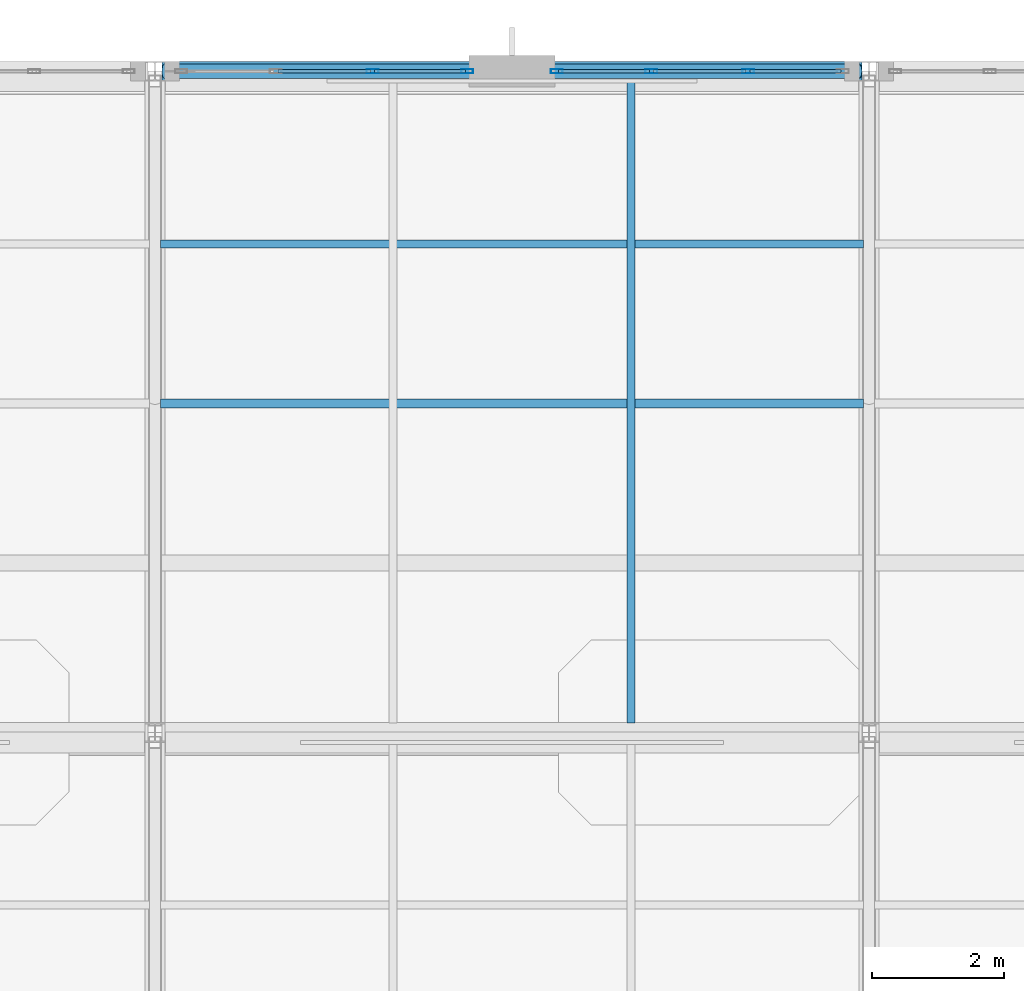
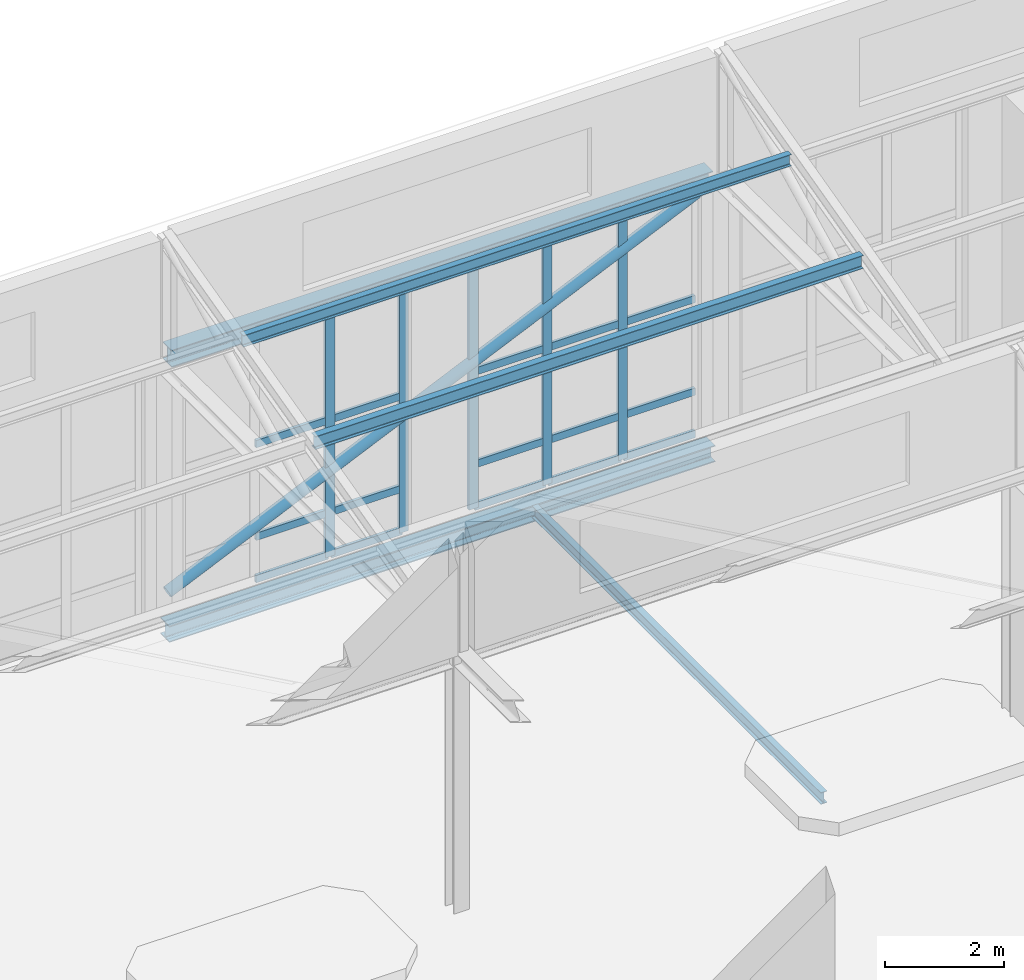
# One storey, part 14 of 49: 28 members, 3 beams, 2 elements without a shape of their own.
"""IFC4 building model written with IfcOpenShell, lengths in metres."""

from ifc_helpers import new_model, si_unit, direction, frame, origin, origin_2d, place, context, subcontext, project, spatial, hollow_rectangle, hollow_circle, i_section, extrude, material, layer, layer_set, material_profile, profile_set, type_object, element, aggregate, save


model = new_model("IFC4")

# Units and contexts
model_context = context("Model", 3, precision=1e-05, world=origin(), true_north=direction((0.0, 1.0)))
body_context = subcontext(model_context, "Body", "Model", "MODEL_VIEW")
ifc_project = project(units=[si_unit("LENGTHUNIT", "METRE"), si_unit("AREAUNIT", "SQUARE_METRE"), si_unit("VOLUMEUNIT", "CUBIC_METRE"), si_unit("PLANEANGLEUNIT", "RADIAN"), si_unit("MASSUNIT", "GRAM", prefix="KILO")], contexts=[model_context])

# Site, building, storey
site_placement = place(None, origin())
site = spatial("IfcSite", under=ifc_project, at=site_placement, CompositionType="ELEMENT")
building_placement = place(site_placement, origin())
building = spatial("IfcBuilding", under=site, at=building_placement, Name="Tasgan Crest Museum", CompositionType="ELEMENT")
storey_placement = place(building_placement, frame((0.0, 0.0, 28.800048828125)))
storey = spatial("IfcBuildingStorey", under=building, at=storey_placement, Name="L05", CompositionType="ELEMENT", Elevation=28.800048828125)

# Beams
ifc_material_1 = material(Name="Steel S355J2", Category="steel")
ifc_material_profile_1 = material_profile(ifc_material_1, i_section(OverallWidth=0.300048828125, OverallDepth=0.35009765625, WebThickness=0.009521484375, FlangeThickness=0.017578125, FilletRadius=0.027099609375, at=origin_2d()), Name="HEA 360")
ifc_profile_set_1 = profile_set([ifc_material_profile_1], Name="Steel S355J2")
beam_type_1 = type_object("IfcBeamType", Name="BM-G-HEA360", PredefinedType="BEAM", material=ifc_profile_set_1)
beam_1_placement = place(storey_placement, frame((21.75, 112.0, 5.219970703125), z_axis=(1.0, 0.0, 0.0), x_axis=(0.0, 1.0, 0.0)))
element("IfcBeam", 1, at=beam_1_placement, inside=storey, type_object=beam_type_1, Name="Sawtooth north eave girder 21.6-32.4", PredefinedType="BEAM", context=body_context, shape_type="SweptSolid", body=[
    extrude(i_section(OverallWidth=0.300048828125, OverallDepth=0.35009765625, WebThickness=0.009521484375, FlangeThickness=0.017578125, FilletRadius=0.027099609375, at=origin_2d()), origin(), (0.0, 0.0, 1.0), 10.5),
])
ifc_material_2 = material(Name="Steel S355J2", Category="steel")
ifc_material_profile_2 = material_profile(ifc_material_2, i_section(OverallWidth=0.300048828125, OverallDepth=0.340087890625, WebThickness=0.011962890625, FlangeThickness=0.021484375, FilletRadius=0.027099609375, at=origin_2d()), Name="HEB 340")
ifc_profile_set_2 = profile_set([ifc_material_profile_2], Name="Steel S355J2")
beam_type_2 = type_object("IfcBeamType", Name="BM-G-HEB340", PredefinedType="BEAM", material=ifc_profile_set_2)
beam_2_placement = place(storey_placement, frame((21.7060546875, 112.0, -0.41015625), z_axis=(1.0, 0.0, 0.0), x_axis=(0.0, 1.0, 0.0)))
element("IfcBeam", 2, at=beam_2_placement, inside=storey, type_object=beam_type_2, Name="Girder L05 M 21.6-32.4", PredefinedType="BEAM", context=body_context, shape_type="SweptSolid", body=[
    extrude(i_section(OverallWidth=0.300048828125, OverallDepth=0.340087890625, WebThickness=0.011962890625, FlangeThickness=0.021484375, FilletRadius=0.027099609375, at=origin_2d()), origin(), (0.0, 0.0, 1.0), 10.587890625),
])
ifc_material_3 = material(Name="Steel S355J2", Category="steel")
ifc_material_profile_3 = material_profile(ifc_material_3, i_section(OverallWidth=0.1201171875, OverallDepth=0.239990234375, WebThickness=0.006103515625, FlangeThickness=0.009765625, FilletRadius=0.014892578125, at=origin_2d()), Name="IPE 240")
ifc_profile_set_3 = profile_set([ifc_material_profile_3], Name="Steel S355J2")
beam_type_3 = type_object("IfcBeamType", Name="BM-J-IPE240", PredefinedType="JOIST", material=ifc_profile_set_3)
beam_3_placement = place(storey_placement, frame((28.800048828125, 102.14501953125, -0.360107421875), z_axis=(0.0, 1.0, 0.0), x_axis=(-1.0, 0.0, 0.0)))
element("IfcBeam", 3, at=beam_3_placement, inside=storey, type_object=beam_type_3, Name="Secondary joist L05 X=28.8 Y=102.0-112.0", PredefinedType="JOIST", context=body_context, shape_type="SweptSolid", body=[
    extrude(i_section(OverallWidth=0.1201171875, OverallDepth=0.239990234375, WebThickness=0.006103515625, FlangeThickness=0.009765625, FilletRadius=0.014892578125, at=origin_2d()), origin(), (0.0, 0.0, 1.0), 9.7099609375),
])

# Curtain wall, members
ifc_material_4 = material(Name="Triple-Glazed Aluminium Curtain Wall", Category="aluminium")
ifc_layer = layer(ifc_material_4, 0.179931640625, Name="CW-GAL-X-54")
ifc_layer_set = layer_set([ifc_layer], Name="Triple-Glazed Aluminium Curtain Wall")
curtain_wall_type = type_object("IfcCurtainWallType", Name="CW-GAL-X-54", PredefinedType="NOTDEFINED", material=ifc_layer_set)
curtain_wall_1_placement = place(storey_placement, origin())
curtain_wall_1 = element("IfcCurtainWall", 4, at=curtain_wall_1_placement, inside=storey, type_object=curtain_wall_type, Name="Curtain wall L05 207", PredefinedType="NOTDEFINED")
ifc_material_5 = material(Name="Anodised Aluminium", Category="aluminium")
ifc_material_profile_4 = material_profile(ifc_material_5, hollow_rectangle(XDim=0.06494140625, YDim=0.179931640625, WallThickness=0.0048828125, at=origin_2d()), Name="ALU MULLION 180x65x5")
ifc_profile_set_4 = profile_set([ifc_material_profile_4], Name="Anodised Aluminium")
member_type_1 = type_object("IfcMemberType", Name="CW-MULLION-180", PredefinedType="MULLION", material=ifc_profile_set_4)
member_1_placement = place(storey_placement, frame((30.57177734375, 112.0, 0.0), z_axis=(0.0, 0.0, 1.0), x_axis=(0.0, -1.0, 0.0)))
member_1 = element("IfcMember", 5, at=member_1_placement, type_object=member_type_1, Name="CW15 mullion 2", PredefinedType="MULLION", context=body_context, shape_type="SweptSolid", body=[
    extrude(hollow_rectangle(XDim=0.06494140625, YDim=0.179931640625, WallThickness=0.0048828125, at=origin_2d()), origin(), (0.0, 0.0, 1.0), 5.159912109375),
])
member_2_placement = place(storey_placement, frame((29.1083984375, 112.0, 0.0), z_axis=(0.0, 0.0, 1.0), x_axis=(0.0, -1.0, 0.0)))
member_2 = element("IfcMember", 6, at=member_2_placement, type_object=member_type_1, Name="CW15 mullion 3", PredefinedType="MULLION", context=body_context, shape_type="SweptSolid", body=[
    extrude(hollow_rectangle(XDim=0.06494140625, YDim=0.179931640625, WallThickness=0.0048828125, at=origin_2d()), origin(), (0.0, 0.0, 1.0), 5.159912109375),
])
member_3_placement = place(storey_placement, frame((27.675048828125, 112.0, 0.0), z_axis=(0.0, 0.0, 1.0), x_axis=(0.0, -1.0, 0.0)))
member_3 = element("IfcMember", 7, at=member_3_placement, type_object=member_type_1, Name="CW15 mullion 4", PredefinedType="MULLION", context=body_context, shape_type="SweptSolid", body=[
    extrude(hollow_rectangle(XDim=0.06494140625, YDim=0.179931640625, WallThickness=0.0048828125, at=origin_2d()), origin(), (0.0, 0.0, 1.0), 5.159912109375),
])

curtain_wall_2_placement = place(storey_placement, origin())
curtain_wall_2 = element("IfcCurtainWall", 8, at=curtain_wall_2_placement, inside=storey, type_object=curtain_wall_type, Name="Curtain wall L05 208", PredefinedType="NOTDEFINED")
member_4_placement = place(storey_placement, frame((26.324951171875, 112.0, 0.0), z_axis=(0.0, 0.0, 1.0), x_axis=(0.0, -1.0, 0.0)))
member_4 = element("IfcMember", 9, at=member_4_placement, type_object=member_type_1, Name="CW15 mullion 1", PredefinedType="MULLION", context=body_context, shape_type="SweptSolid", body=[
    extrude(hollow_rectangle(XDim=0.06494140625, YDim=0.179931640625, WallThickness=0.0048828125, at=origin_2d()), origin(), (0.0, 0.0, 1.0), 5.159912109375),
])
member_5_placement = place(storey_placement, frame((24.8916015625, 112.0, 0.0), z_axis=(0.0, 0.0, 1.0), x_axis=(0.0, -1.0, 0.0)))
member_5 = element("IfcMember", 10, at=member_5_placement, type_object=member_type_1, Name="CW15 mullion 2", PredefinedType="MULLION", context=body_context, shape_type="SweptSolid", body=[
    extrude(hollow_rectangle(XDim=0.06494140625, YDim=0.179931640625, WallThickness=0.0048828125, at=origin_2d()), origin(), (0.0, 0.0, 1.0), 5.159912109375),
])

# Member
ifc_material_6 = material(Name="Anodised Aluminium", Category="aluminium")
ifc_material_profile_5 = material_profile(ifc_material_6, hollow_rectangle(XDim=0.06005859375, YDim=0.14990234375, WallThickness=0.0048828125, at=origin_2d()), Name="ALU TRANSOM 150x60x5")
ifc_profile_set_5 = profile_set([ifc_material_profile_5], Name="Anodised Aluminium")
member_type_2 = type_object("IfcMemberType", Name="CW-TRANSOM-150", PredefinedType="USERDEFINED", material=ifc_profile_set_5)
member_6_placement = place(storey_placement, frame((31.97509765625, 112.0, 0.030029296875), z_axis=(-1.0, 0.0, 0.0), x_axis=(0.0, -1.0, 0.0)))
member_6 = element("IfcMember", 11, at=member_6_placement, type_object=member_type_2, Name="CW15 transom 1.1", ObjectType="TRANSOM", PredefinedType="USERDEFINED", context=body_context, shape_type="SweptSolid", body=[
    extrude(hollow_rectangle(XDim=0.06005859375, YDim=0.14990234375, WallThickness=0.0048828125, at=origin_2d()), origin(), (0.0, 0.0, 1.0), 1.37353515625),
])

member_7_placement = place(storey_placement, frame((31.97509765625, 112.0, 0.89990234375), z_axis=(-1.0, 0.0, 0.0), x_axis=(0.0, -1.0, 0.0)))
member_7 = element("IfcMember", 12, at=member_7_placement, type_object=member_type_2, Name="CW15 transom 1.2", ObjectType="TRANSOM", PredefinedType="USERDEFINED", context=body_context, shape_type="SweptSolid", body=[
    extrude(hollow_rectangle(XDim=0.06005859375, YDim=0.14990234375, WallThickness=0.0048828125, at=origin_2d()), origin(), (0.0, 0.0, 1.0), 1.37353515625),
])

member_8_placement = place(storey_placement, frame((31.97509765625, 112.0, 2.800048828125), z_axis=(-1.0, 0.0, 0.0), x_axis=(0.0, -1.0, 0.0)))
member_8 = element("IfcMember", 13, at=member_8_placement, type_object=member_type_2, Name="CW15 transom 1.3", ObjectType="TRANSOM", PredefinedType="USERDEFINED", context=body_context, shape_type="SweptSolid", body=[
    extrude(hollow_rectangle(XDim=0.06005859375, YDim=0.14990234375, WallThickness=0.0048828125, at=origin_2d()), origin(), (0.0, 0.0, 1.0), 1.37353515625),
])

member_9_placement = place(storey_placement, frame((31.97509765625, 112.0, 5.1298828125), z_axis=(-1.0, 0.0, 0.0), x_axis=(0.0, -1.0, 0.0)))
member_9 = element("IfcMember", 14, at=member_9_placement, type_object=member_type_2, Name="CW15 transom 1.4", ObjectType="TRANSOM", PredefinedType="USERDEFINED", context=body_context, shape_type="SweptSolid", body=[
    extrude(hollow_rectangle(XDim=0.06005859375, YDim=0.14990234375, WallThickness=0.0048828125, at=origin_2d()), origin(), (0.0, 0.0, 1.0), 1.37353515625),
])

member_10_placement = place(storey_placement, frame((30.541748046875, 112.0, 0.030029296875), z_axis=(-1.0, 0.0, 0.0), x_axis=(0.0, -1.0, 0.0)))
member_10 = element("IfcMember", 15, at=member_10_placement, type_object=member_type_2, Name="CW15 transom 2.1", ObjectType="TRANSOM", PredefinedType="USERDEFINED", context=body_context, shape_type="SweptSolid", body=[
    extrude(hollow_rectangle(XDim=0.06005859375, YDim=0.14990234375, WallThickness=0.0048828125, at=origin_2d()), origin(), (0.0, 0.0, 1.0), 1.4033203125),
])

member_11_placement = place(storey_placement, frame((30.541748046875, 112.0, 0.89990234375), z_axis=(-1.0, 0.0, 0.0), x_axis=(0.0, -1.0, 0.0)))
member_11 = element("IfcMember", 16, at=member_11_placement, type_object=member_type_2, Name="CW15 transom 2.2", ObjectType="TRANSOM", PredefinedType="USERDEFINED", context=body_context, shape_type="SweptSolid", body=[
    extrude(hollow_rectangle(XDim=0.06005859375, YDim=0.14990234375, WallThickness=0.0048828125, at=origin_2d()), origin(), (0.0, 0.0, 1.0), 1.4033203125),
])

member_12_placement = place(storey_placement, frame((30.541748046875, 112.0, 2.800048828125), z_axis=(-1.0, 0.0, 0.0), x_axis=(0.0, -1.0, 0.0)))
member_12 = element("IfcMember", 17, at=member_12_placement, type_object=member_type_2, Name="CW15 transom 2.3", ObjectType="TRANSOM", PredefinedType="USERDEFINED", context=body_context, shape_type="SweptSolid", body=[
    extrude(hollow_rectangle(XDim=0.06005859375, YDim=0.14990234375, WallThickness=0.0048828125, at=origin_2d()), origin(), (0.0, 0.0, 1.0), 1.4033203125),
])

member_13_placement = place(storey_placement, frame((30.541748046875, 112.0, 5.1298828125), z_axis=(-1.0, 0.0, 0.0), x_axis=(0.0, -1.0, 0.0)))
member_13 = element("IfcMember", 18, at=member_13_placement, type_object=member_type_2, Name="CW15 transom 2.4", ObjectType="TRANSOM", PredefinedType="USERDEFINED", context=body_context, shape_type="SweptSolid", body=[
    extrude(hollow_rectangle(XDim=0.06005859375, YDim=0.14990234375, WallThickness=0.0048828125, at=origin_2d()), origin(), (0.0, 0.0, 1.0), 1.4033203125),
])

member_14_placement = place(storey_placement, frame((29.078369140625, 112.0, 0.030029296875), z_axis=(-1.0, 0.0, 0.0), x_axis=(0.0, -1.0, 0.0)))
member_14 = element("IfcMember", 19, at=member_14_placement, type_object=member_type_2, Name="CW15 transom 3.1", ObjectType="TRANSOM", PredefinedType="USERDEFINED", context=body_context, shape_type="SweptSolid", body=[
    extrude(hollow_rectangle(XDim=0.06005859375, YDim=0.14990234375, WallThickness=0.0048828125, at=origin_2d()), origin(), (0.0, 0.0, 1.0), 1.373291015625),
])

member_15_placement = place(storey_placement, frame((29.078369140625, 112.0, 0.89990234375), z_axis=(-1.0, 0.0, 0.0), x_axis=(0.0, -1.0, 0.0)))
member_15 = element("IfcMember", 20, at=member_15_placement, type_object=member_type_2, Name="CW15 transom 3.2", ObjectType="TRANSOM", PredefinedType="USERDEFINED", context=body_context, shape_type="SweptSolid", body=[
    extrude(hollow_rectangle(XDim=0.06005859375, YDim=0.14990234375, WallThickness=0.0048828125, at=origin_2d()), origin(), (0.0, 0.0, 1.0), 1.373291015625),
])

member_16_placement = place(storey_placement, frame((29.078369140625, 112.0, 2.800048828125), z_axis=(-1.0, 0.0, 0.0), x_axis=(0.0, -1.0, 0.0)))
member_16 = element("IfcMember", 21, at=member_16_placement, type_object=member_type_2, Name="CW15 transom 3.3", ObjectType="TRANSOM", PredefinedType="USERDEFINED", context=body_context, shape_type="SweptSolid", body=[
    extrude(hollow_rectangle(XDim=0.06005859375, YDim=0.14990234375, WallThickness=0.0048828125, at=origin_2d()), origin(), (0.0, 0.0, 1.0), 1.373291015625),
])

member_17_placement = place(storey_placement, frame((29.078369140625, 112.0, 5.1298828125), z_axis=(-1.0, 0.0, 0.0), x_axis=(0.0, -1.0, 0.0)))
member_17 = element("IfcMember", 22, at=member_17_placement, type_object=member_type_2, Name="CW15 transom 3.4", ObjectType="TRANSOM", PredefinedType="USERDEFINED", context=body_context, shape_type="SweptSolid", body=[
    extrude(hollow_rectangle(XDim=0.06005859375, YDim=0.14990234375, WallThickness=0.0048828125, at=origin_2d()), origin(), (0.0, 0.0, 1.0), 1.373291015625),
])

aggregate(curtain_wall_1, [member_1, member_2, member_3, member_6, member_7, member_8, member_9, member_10, member_11, member_12, member_13, member_14, member_15, member_16, member_17])

member_18_placement = place(storey_placement, frame((26.294921875, 112.0, 0.030029296875), z_axis=(-1.0, 0.0, 0.0), x_axis=(0.0, -1.0, 0.0)))
member_18 = element("IfcMember", 23, at=member_18_placement, type_object=member_type_2, Name="CW15 transom 1.1", ObjectType="TRANSOM", PredefinedType="USERDEFINED", context=body_context, shape_type="SweptSolid", body=[
    extrude(hollow_rectangle(XDim=0.06005859375, YDim=0.14990234375, WallThickness=0.0048828125, at=origin_2d()), origin(), (0.0, 0.0, 1.0), 1.373291015625),
])

member_19_placement = place(storey_placement, frame((26.294921875, 112.0, 0.89990234375), z_axis=(-1.0, 0.0, 0.0), x_axis=(0.0, -1.0, 0.0)))
member_19 = element("IfcMember", 24, at=member_19_placement, type_object=member_type_2, Name="CW15 transom 1.2", ObjectType="TRANSOM", PredefinedType="USERDEFINED", context=body_context, shape_type="SweptSolid", body=[
    extrude(hollow_rectangle(XDim=0.06005859375, YDim=0.14990234375, WallThickness=0.0048828125, at=origin_2d()), origin(), (0.0, 0.0, 1.0), 1.373291015625),
])

member_20_placement = place(storey_placement, frame((26.294921875, 112.0, 2.800048828125), z_axis=(-1.0, 0.0, 0.0), x_axis=(0.0, -1.0, 0.0)))
member_20 = element("IfcMember", 25, at=member_20_placement, type_object=member_type_2, Name="CW15 transom 1.3", ObjectType="TRANSOM", PredefinedType="USERDEFINED", context=body_context, shape_type="SweptSolid", body=[
    extrude(hollow_rectangle(XDim=0.06005859375, YDim=0.14990234375, WallThickness=0.0048828125, at=origin_2d()), origin(), (0.0, 0.0, 1.0), 1.373291015625),
])

member_21_placement = place(storey_placement, frame((26.294921875, 112.0, 5.1298828125), z_axis=(-1.0, 0.0, 0.0), x_axis=(0.0, -1.0, 0.0)))
member_21 = element("IfcMember", 26, at=member_21_placement, type_object=member_type_2, Name="CW15 transom 1.4", ObjectType="TRANSOM", PredefinedType="USERDEFINED", context=body_context, shape_type="SweptSolid", body=[
    extrude(hollow_rectangle(XDim=0.06005859375, YDim=0.14990234375, WallThickness=0.0048828125, at=origin_2d()), origin(), (0.0, 0.0, 1.0), 1.373291015625),
])

member_22_placement = place(storey_placement, frame((24.861572265625, 112.0, 0.030029296875), z_axis=(-1.0, 0.0, 0.0), x_axis=(0.0, -1.0, 0.0)))
member_22 = element("IfcMember", 27, at=member_22_placement, type_object=member_type_2, Name="CW15 transom 2.1", ObjectType="TRANSOM", PredefinedType="USERDEFINED", context=body_context, shape_type="SweptSolid", body=[
    extrude(hollow_rectangle(XDim=0.06005859375, YDim=0.14990234375, WallThickness=0.0048828125, at=origin_2d()), origin(), (0.0, 0.0, 1.0), 1.4033203125),
])

member_23_placement = place(storey_placement, frame((24.861572265625, 112.0, 0.89990234375), z_axis=(-1.0, 0.0, 0.0), x_axis=(0.0, -1.0, 0.0)))
member_23 = element("IfcMember", 28, at=member_23_placement, type_object=member_type_2, Name="CW15 transom 2.2", ObjectType="TRANSOM", PredefinedType="USERDEFINED", context=body_context, shape_type="SweptSolid", body=[
    extrude(hollow_rectangle(XDim=0.06005859375, YDim=0.14990234375, WallThickness=0.0048828125, at=origin_2d()), origin(), (0.0, 0.0, 1.0), 1.4033203125),
])

member_24_placement = place(storey_placement, frame((24.861572265625, 112.0, 2.800048828125), z_axis=(-1.0, 0.0, 0.0), x_axis=(0.0, -1.0, 0.0)))
member_24 = element("IfcMember", 29, at=member_24_placement, type_object=member_type_2, Name="CW15 transom 2.3", ObjectType="TRANSOM", PredefinedType="USERDEFINED", context=body_context, shape_type="SweptSolid", body=[
    extrude(hollow_rectangle(XDim=0.06005859375, YDim=0.14990234375, WallThickness=0.0048828125, at=origin_2d()), origin(), (0.0, 0.0, 1.0), 1.4033203125),
])

member_25_placement = place(storey_placement, frame((24.861572265625, 112.0, 5.1298828125), z_axis=(-1.0, 0.0, 0.0), x_axis=(0.0, -1.0, 0.0)))
member_25 = element("IfcMember", 30, at=member_25_placement, type_object=member_type_2, Name="CW15 transom 2.4", ObjectType="TRANSOM", PredefinedType="USERDEFINED", context=body_context, shape_type="SweptSolid", body=[
    extrude(hollow_rectangle(XDim=0.06005859375, YDim=0.14990234375, WallThickness=0.0048828125, at=origin_2d()), origin(), (0.0, 0.0, 1.0), 1.4033203125),
])

aggregate(curtain_wall_2, [member_4, member_5, member_18, member_19, member_20, member_21, member_22, member_23, member_24, member_25])

# Members
ifc_material_7 = material(Name="Steel S355J2", Category="steel")
ifc_material_profile_6 = material_profile(ifc_material_7, hollow_circle(Radius=0.109619140625, WallThickness=0.010009765625, at=origin_2d()), Name="CHS 219.1x10")
ifc_profile_set_6 = profile_set([ifc_material_profile_6], Name="Steel S355J2")
member_type_3 = type_object("IfcMemberType", Name="MEM-BRACE-CHS219", PredefinedType="BRACE", material=ifc_profile_set_6)
member_26_placement = place(storey_placement, frame((21.75, 112.0, 0.349853515625), z_axis=(0.91240198032, 0.0, 0.409295280095), x_axis=(0.0, 1.0, 0.0)))
element("IfcMember", 31, at=member_26_placement, inside=storey, type_object=member_type_3, Name="Diagonal brace L05 M 21.6-32.4", PredefinedType="BRACE", context=body_context, shape_type="SweptSolid", body=[
    extrude(hollow_circle(Radius=0.109619140625, WallThickness=0.010009765625, at=origin_2d()), origin(), (0.0, 0.0, 1.0), 11.508056640625),
])
ifc_material_8 = material(Name="Steel S355J2", Category="steel")
ifc_material_profile_7 = material_profile(ifc_material_8, i_section(OverallWidth=0.1201171875, OverallDepth=0.239990234375, WebThickness=0.006103515625, FlangeThickness=0.009765625, FilletRadius=0.014892578125, at=origin_2d()), Name="IPE 240")
ifc_profile_set_7 = profile_set([ifc_material_profile_7], Name="Steel S355J2")
member_type_4 = type_object("IfcMemberType", Name="MEM-PURLIN-240", PredefinedType="PURLIN", material=ifc_profile_set_7)
member_27_placement = place(storey_placement, frame((21.68505859375, 109.387451171875, 7.1298828125), z_axis=(1.0, 0.0, 0.0), x_axis=(0.0, 1.0, 0.0)))
element("IfcMember", 32, at=member_27_placement, inside=storey, type_object=member_type_4, Name="Sawtooth roof purlin B3 21.6-32.4 P3", PredefinedType="PURLIN", context=body_context, shape_type="SweptSolid", body=[
    extrude(i_section(OverallWidth=0.1201171875, OverallDepth=0.239990234375, WebThickness=0.006103515625, FlangeThickness=0.009765625, FilletRadius=0.014892578125, at=origin_2d()), origin(), (0.0, 0.0, 1.0), 10.6298828125),
])
ifc_material_9 = material(Name="Steel S355J2", Category="steel")
ifc_material_profile_8 = material_profile(ifc_material_9, i_section(OverallWidth=0.135009765625, OverallDepth=0.27001953125, WebThickness=0.006591796875, FlangeThickness=0.01025390625, FilletRadius=0.014892578125, at=origin_2d()), Name="IPE 270")
ifc_profile_set_8 = profile_set([ifc_material_profile_8], Name="Steel S355J2")
member_type_5 = type_object("IfcMemberType", Name="MEM-PURLIN-270", PredefinedType="PURLIN", material=ifc_profile_set_8)
member_28_placement = place(storey_placement, frame((21.68505859375, 106.97509765625, 6.510009765625), z_axis=(1.0, 0.0, 0.0), x_axis=(0.0, 1.0, 0.0)))
element("IfcMember", 33, at=member_28_placement, inside=storey, type_object=member_type_5, Name="Sawtooth roof purlin B3 21.6-32.4 P2", PredefinedType="PURLIN", context=body_context, shape_type="SweptSolid", body=[
    extrude(i_section(OverallWidth=0.135009765625, OverallDepth=0.27001953125, WebThickness=0.006591796875, FlangeThickness=0.01025390625, FilletRadius=0.014892578125, at=origin_2d()), origin(), (0.0, 0.0, 1.0), 10.6298828125),
])

save(model, "model.ifc")
